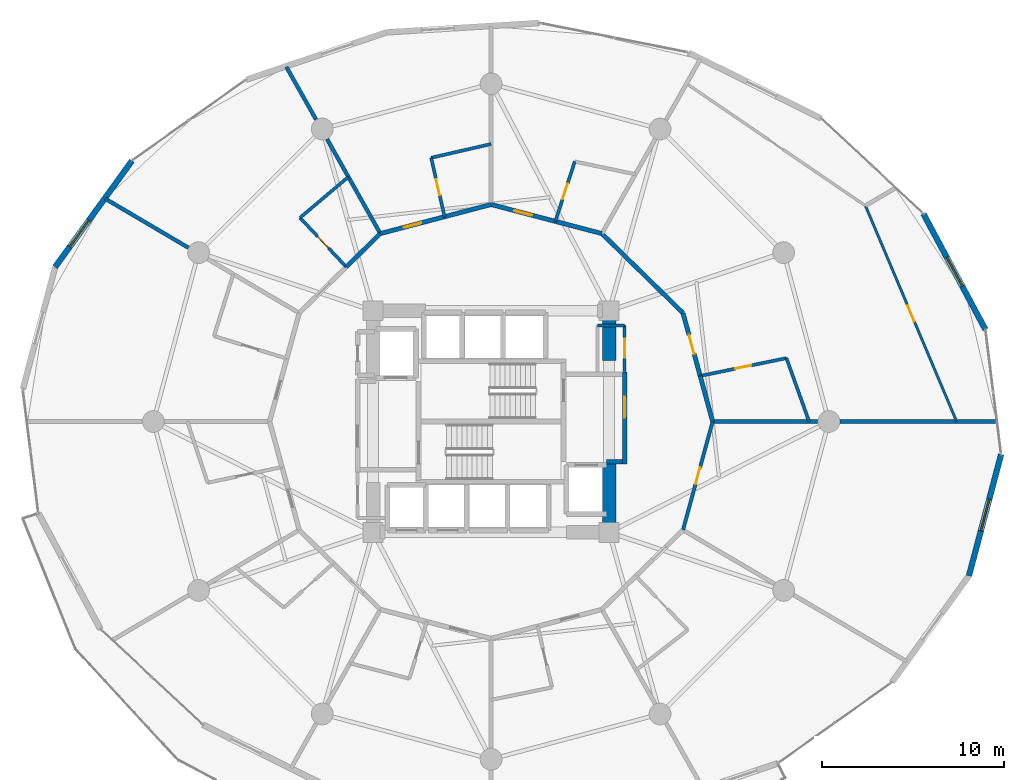
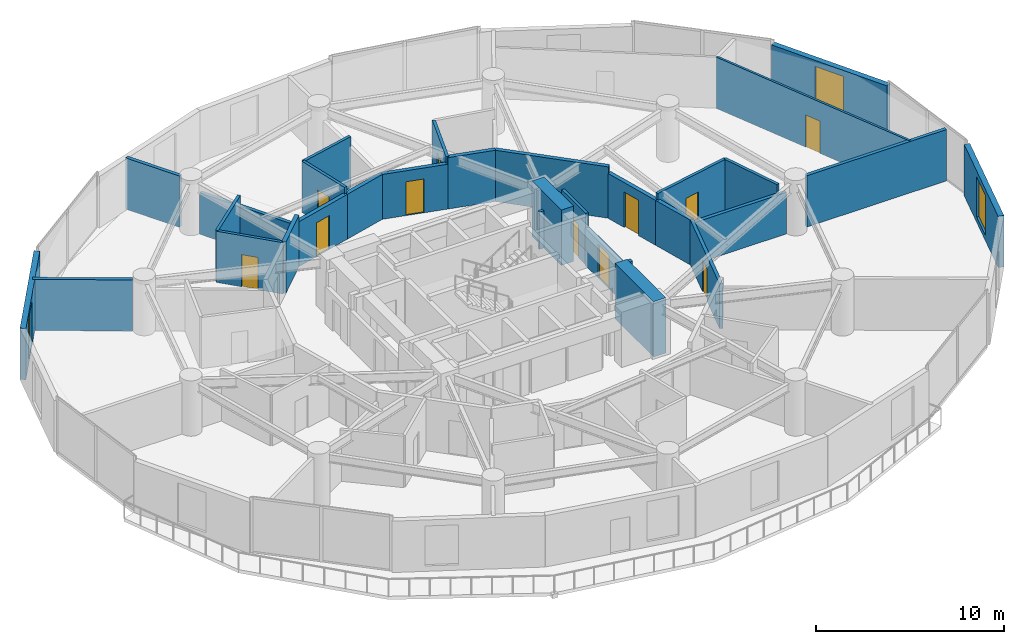
# One storey, part 22 of 26: 31 walls, 11 doors, 3 windows, 14 openings.
"""IFC4 building model written with IfcOpenShell, lengths in metres."""

from ifc_helpers import new_model, si_unit, direction, frame, frame_2d, origin, place, context, subcontext, project, spatial, rectangle, extrude, material, layer, layer_set, type_object, element, fill, save


model = new_model("IFC4")

# Units and contexts
model_context = context("Model", 3, precision=1e-05, world=origin(), true_north=direction((0.0, 1.0)))
body_context = subcontext(model_context, "Body", "Model", "MODEL_VIEW")
ifc_project = project(units=[si_unit("LENGTHUNIT", "METRE"), si_unit("AREAUNIT", "SQUARE_METRE"), si_unit("VOLUMEUNIT", "CUBIC_METRE"), si_unit("PLANEANGLEUNIT", "RADIAN"), si_unit("MASSUNIT", "GRAM", prefix="KILO")], contexts=[model_context])

# Site, building, storey
site_placement = place(None, origin())
site = spatial("IfcSite", under=ifc_project, at=site_placement, CompositionType="ELEMENT")
building_placement = place(site_placement, origin())
building = spatial("IfcBuilding", under=site, at=building_placement, Name="Solvirekh Grand Hotel", CompositionType="ELEMENT")
storey_placement = place(building_placement, frame((0.0, 0.0, 35.60009765625)))
storey = spatial("IfcBuildingStorey", under=building, at=storey_placement, Name="L07", CompositionType="ELEMENT", Elevation=35.60009765625)

# Walls
ifc_material_1 = material(Name="Concrete C60/75", Category="concrete")
ifc_layer_1 = layer(ifc_material_1, 0.75)
ifc_layer_set_1 = layer_set([ifc_layer_1], Name="Concrete C60/75")
wall_type_1 = type_object("IfcWallType", Name="CoreWall_RC750", PredefinedType="SHEAR", material=ifc_layer_set_1)
wall_1_placement = place(storey_placement, frame((6.5, -6.47509765625, 0.0), z_axis=(0.0, 0.0, 1.0), x_axis=(0.0, 1.0, 0.0)))
element("IfcWall", 1, at=wall_1_placement, inside=storey, type_object=wall_type_1, Name="L07 core corner shear wall ES-E", PredefinedType="SHEAR", context=body_context, shape_type="SweptSolid", body=[
    extrude(rectangle(XDim=4.125, YDim=0.75, at=frame_2d((2.0625, 0.0))), origin(), (0.0, 0.0, 1.0), 3.599853515625),
])
wall_2_placement = place(storey_placement, frame((6.5, 3.35009765625, 0.0), z_axis=(0.0, 0.0, 1.0), x_axis=(0.0, 1.0, 0.0)))
element("IfcWall", 2, at=wall_2_placement, inside=storey, type_object=wall_type_1, Name="L07 core corner shear wall EN-E", PredefinedType="SHEAR", context=body_context, shape_type="SweptSolid", body=[
    extrude(rectangle(XDim=3.125, YDim=0.75, at=frame_2d((1.5625, 0.0))), origin(), (0.0, 0.0, 1.0), 3.599853515625),
])

# Wall, opening, window
ifc_material_2 = material(Name="Precast concrete C45/55", Category="concrete")
ifc_layer_2 = layer(ifc_material_2, 0.320068359375)
ifc_layer_set_2 = layer_set([ifc_layer_2], Name="Precast concrete C45/55")
wall_type_2 = type_object("IfcWallType", Name="ExtLobbyWall_RC320", PredefinedType="SOLIDWALL", material=ifc_layer_set_2)
wall_3_placement = place(storey_placement, frame((23.81005859375, 11.43896484375, 0.0), z_axis=(0.0, 0.0, 1.0), x_axis=(0.472255130515, -0.881461905985, 0.0)))
wall_3 = element("IfcWall", 3, at=wall_3_placement, inside=storey, type_object=wall_type_2, Name="L07 exterior structural wall chord 2", PredefinedType="SOLIDWALL", context=body_context, shape_type="SweptSolid", body=[
    extrude(rectangle(XDim=7.2333984375, YDim=0.320068359375, at=frame_2d((3.61669921875, 0.0))), origin(), (0.0, 0.0, 1.0), 3.33984375),
])
opening_1_placement = place(wall_3_placement, frame((2.717041015625, 0.0, 0.35009765625)))
opening_1 = element("IfcOpeningElement", 4, at=opening_1_placement, cuts=wall_3, Name="Opening W02", PredefinedType="OPENING", context=body_context, shape_type="SweptSolid", body=[
    extrude(rectangle(XDim=1.800048828125, YDim=2.60009765625, at=frame_2d((0.89990234375, 1.300048828125))), frame((0.0, 0.169921875, 0.0), z_axis=(0.0, -1.0, 0.0), x_axis=(1.0, 0.0, 0.0)), (0.0, 0.0, 1.0), 0.340087890625),
])
ifc_material_3 = material(Name="Low-E Tinted Bronze Laminated Glass", Category="aluminium")
window_type = type_object("IfcWindowType", Name="Win_LobbyExt_1800X2600", PartitioningType="SINGLE_PANEL", PredefinedType="WINDOW", material=ifc_material_3)
window_1_placement = place(opening_1_placement, origin())
window_1 = element("IfcWindow", 5, at=window_1_placement, inside=storey, type_object=window_type, Name="L07 panoramic bronze-framed window 2", OverallHeight=2.60009765625, OverallWidth=1.800048828125, PartitioningType="SINGLE_PANEL", PredefinedType="WINDOW", context=body_context, shape_type="SweptSolid", body=[
    extrude(rectangle(XDim=1.800048828125, YDim=2.60009765625, at=frame_2d((0.89990234375, 1.300048828125))), frame((0.0, 0.030029296875, 0.0), z_axis=(0.0, -1.0, 0.0), x_axis=(1.0, 0.0, 0.0)), (0.0, 0.0, 1.0), 0.06005859375),
])
fill(opening_1, window_1)

wall_4_placement = place(storey_placement, frame((-24.01611328125, 8.5029296875, 0.0), z_axis=(0.0, 0.0, 1.0), x_axis=(0.585883584877, 0.810395227634, 0.0)))
wall_4 = element("IfcWall", 6, at=wall_4_placement, inside=storey, type_object=wall_type_2, Name="L07 exterior structural wall chord 9", PredefinedType="SOLIDWALL", context=body_context, shape_type="SweptSolid", body=[
    extrude(rectangle(XDim=7.233642578125, YDim=0.320068359375, at=frame_2d((3.61669921875, 0.0))), origin(), (0.0, 0.0, 1.0), 3.33984375),
])
opening_2_placement = place(wall_4_placement, frame((1.385986328125, 0.0, 0.35009765625)))
opening_2 = element("IfcOpeningElement", 7, at=opening_2_placement, cuts=wall_4, Name="Opening W02", PredefinedType="OPENING", context=body_context, shape_type="SweptSolid", body=[
    extrude(rectangle(XDim=1.800048828125, YDim=2.60009765625, at=frame_2d((0.89990234375, 1.300048828125))), frame((0.0, 0.169921875, 0.0), z_axis=(0.0, -1.0, 0.0), x_axis=(1.0, 0.0, 0.0)), (0.0, 0.0, 1.0), 0.340087890625),
])
window_2_placement = place(opening_2_placement, origin())
window_2 = element("IfcWindow", 8, at=window_2_placement, inside=storey, type_object=window_type, Name="L07 panoramic bronze-framed window 9", OverallHeight=2.60009765625, OverallWidth=1.800048828125, PartitioningType="SINGLE_PANEL", PredefinedType="WINDOW", context=body_context, shape_type="SweptSolid", body=[
    extrude(rectangle(XDim=1.800048828125, YDim=2.60009765625, at=frame_2d((0.89990234375, 1.300048828125))), frame((0.0, 0.030029296875, 0.0), z_axis=(0.0, -1.0, 0.0), x_axis=(1.0, 0.0, 0.0)), (0.0, 0.0, 1.0), 0.06005859375),
])
fill(opening_2, window_2)

wall_5_placement = place(storey_placement, frame((28.089111328125, -1.80810546875, 0.0), z_axis=(0.0, 0.0, 1.0), x_axis=(-0.256032082016, -0.966668284873, 0.0)))
wall_5 = element("IfcWall", 9, at=wall_5_placement, inside=storey, type_object=wall_type_2, Name="L07 exterior structural wall chord 20", PredefinedType="SOLIDWALL", context=body_context, shape_type="SweptSolid", body=[
    extrude(rectangle(XDim=6.92578125, YDim=0.320068359375, at=frame_2d((3.462890625, 0.0))), origin(), (0.0, 0.0, 1.0), 3.33984375),
])
opening_3_placement = place(wall_5_placement, frame((2.56298828125, 0.0, 0.35009765625)))
opening_3 = element("IfcOpeningElement", 10, at=opening_3_placement, cuts=wall_5, Name="Opening W02", PredefinedType="OPENING", context=body_context, shape_type="SweptSolid", body=[
    extrude(rectangle(XDim=1.800048828125, YDim=2.60009765625, at=frame_2d((0.89990234375, 1.300048828125))), frame((0.0, 0.169921875, 0.0), z_axis=(0.0, -1.0, 0.0), x_axis=(1.0, 0.0, 0.0)), (0.0, 0.0, 1.0), 0.340087890625),
])
window_3_placement = place(opening_3_placement, origin())
window_3 = element("IfcWindow", 11, at=window_3_placement, inside=storey, type_object=window_type, Name="L07 panoramic bronze-framed window 20", OverallHeight=2.60009765625, OverallWidth=1.800048828125, PartitioningType="SINGLE_PANEL", PredefinedType="WINDOW", context=body_context, shape_type="SweptSolid", body=[
    extrude(rectangle(XDim=1.800048828125, YDim=2.60009765625, at=frame_2d((0.89990234375, 1.300048828125))), frame((0.0, 0.030029296875, 0.0), z_axis=(0.0, -1.0, 0.0), x_axis=(1.0, 0.0, 0.0)), (0.0, 0.0, 1.0), 0.06005859375),
])
fill(opening_3, window_3)

# Wall, opening, door
ifc_material_4 = material(Name="Acoustic Gypsum Partition Assembly")
ifc_layer_3 = layer(ifc_material_4, 0.1650390625)
ifc_layer_set_3 = layer_set([ifc_layer_3], Name="Acoustic Gypsum Partition Assembly")
wall_type_3 = type_object("IfcWallType", Name="Part_BOH_165", PredefinedType="PARTITIONING", material=ifc_layer_set_3)
wall_6_placement = place(storey_placement, frame((7.35009765625, 2.75, 0.0), z_axis=(0.0, 0.0, 1.0), x_axis=(0.0, 1.0, 0.0)))
wall_6 = element("IfcWall", 12, at=wall_6_placement, inside=storey, type_object=wall_type_3, Name="L07 L07 Telecom Distribution Room wall 2", PredefinedType="PARTITIONING", context=body_context, shape_type="SweptSolid", body=[
    extrude(rectangle(XDim=2.550048828125, YDim=0.1650390625, at=frame_2d((1.27490234375, 0.0))), origin(), (0.0, 0.0, 1.0), 3.33984375),
])
opening_4_placement = place(wall_6_placement, frame((0.75, 0.0, 0.0)))
opening_4 = element("IfcOpeningElement", 13, at=opening_4_placement, cuts=wall_6, Name="Opening D12", PredefinedType="OPENING", context=body_context, shape_type="SweptSolid", body=[
    extrude(rectangle(XDim=1.050048828125, YDim=2.14990234375, at=frame_2d((0.52490234375, 1.074951171875))), frame((0.0, 0.092529296875, 0.0), z_axis=(0.0, -1.0, 0.0), x_axis=(1.0, 0.0, 0.0)), (0.0, 0.0, 1.0), 0.18505859375),
])
ifc_material_5 = material(Name="Fire-Rated Steel Door Assembly", Category="steel")
door_type_1 = type_object("IfcDoorType", Name="Door_PlantBOH_1050X2150", OperationType="NOTDEFINED", PredefinedType="DOOR", material=ifc_material_5)
door_1_placement = place(opening_4_placement, origin())
door_1 = element("IfcDoor", 14, at=door_1_placement, inside=storey, type_object=door_type_1, Name="L07 L07 Telecom Distribution Room door", OperationType="SINGLE_SWING_RIGHT", OverallHeight=2.14990234375, OverallWidth=1.050048828125, PredefinedType="DOOR", context=body_context, shape_type="SweptSolid", body=[
    extrude(rectangle(XDim=1.050048828125, YDim=2.14990234375, at=frame_2d((0.52490234375, 1.074951171875))), frame((0.0, 0.02490234375, 0.0), z_axis=(0.0, -1.0, 0.0), x_axis=(1.0, 0.0, 0.0)), (0.0, 0.0, 1.0), 0.050048828125),
])
fill(opening_4, door_1)

# Wall
wall_7_placement = place(storey_placement, frame((7.35009765625, 5.300048828125, 0.0), z_axis=(0.0, 0.0, 1.0), x_axis=(-1.0, 0.0, 0.0)))
element("IfcWall", 15, at=wall_7_placement, inside=storey, type_object=wall_type_3, Name="L07 L07 Telecom Distribution Room wall 3", PredefinedType="PARTITIONING", context=body_context, shape_type="SweptSolid", body=[
    extrude(rectangle(XDim=1.5, YDim=0.1650390625, at=frame_2d((0.75, 0.0))), origin(), (0.0, 0.0, 1.0), 2.4248046875),
])

# Wall, opening, door
ifc_layer_4 = layer(ifc_material_4, 0.239990234375)
ifc_layer_set_4 = layer_set([ifc_layer_4], Name="Acoustic Gypsum Partition Assembly")
wall_type_4 = type_object("IfcWallType", Name="Part_Corridor_240", PredefinedType="PARTITIONING", material=ifc_layer_set_4)
wall_8_placement = place(storey_placement, frame((7.35009765625, -2.340087890625, 0.0), z_axis=(0.0, 0.0, 1.0), x_axis=(0.0, 1.0, 0.0)))
wall_8 = element("IfcWall", 16, at=wall_8_placement, inside=storey, type_object=wall_type_4, Name="L07 east firefighting lobby smoke screen wall", PredefinedType="PARTITIONING", context=body_context, shape_type="SweptSolid", body=[
    extrude(rectangle(XDim=5.070068359375, YDim=0.239990234375, at=frame_2d((2.53515625, 0.0))), origin(), (0.0, 0.0, 1.0), 2.4248046875),
])
opening_5_placement = place(wall_8_placement, frame((2.548095703125, 0.0, 0.0)))
opening_5 = element("IfcOpeningElement", 17, at=opening_5_placement, cuts=wall_8, Name="Opening D06", PredefinedType="OPENING", context=body_context, shape_type="SweptSolid", body=[
    extrude(rectangle(XDim=1.14990234375, YDim=2.199951171875, at=frame_2d((0.574951171875, 1.10009765625))), frame((0.0, 0.1298828125, 0.0), z_axis=(0.0, -1.0, 0.0), x_axis=(1.0, 0.0, 0.0)), (0.0, 0.0, 1.0), 0.260009765625),
])
door_type_2 = type_object("IfcDoorType", Name="Door_FFLobby_1150X2200", OperationType="NOTDEFINED", PredefinedType="DOOR", material=ifc_material_5)
door_2_placement = place(opening_5_placement, origin())
door_2 = element("IfcDoor", 18, at=door_2_placement, inside=storey, type_object=door_type_2, Name="L07 east firefighting lobby smoke door", OperationType="SINGLE_SWING_LEFT", OverallHeight=2.199951171875, OverallWidth=1.14990234375, PredefinedType="DOOR", context=body_context, shape_type="SweptSolid", body=[
    extrude(rectangle(XDim=1.14990234375, YDim=2.199951171875, at=frame_2d((0.574951171875, 1.10009765625))), frame((0.0, 0.02490234375, 0.0), z_axis=(0.0, -1.0, 0.0), x_axis=(1.0, 0.0, 0.0)), (0.0, 0.0, 1.0), 0.050048828125),
])
fill(opening_5, door_2)

# Walls
wall_9_placement = place(storey_placement, frame((12.199951171875, 0.0, 0.0), z_axis=(0.0, 0.0, 1.0), x_axis=(-0.263744763784, 0.964592504416, 0.0)))
element("IfcWall", 19, at=wall_9_placement, inside=storey, type_object=wall_type_4, Name="L07 En-suite Bathroom 0901 corridor backing wall", PredefinedType="PARTITIONING", context=body_context, shape_type="SweptSolid", body=[
    extrude(rectangle(XDim=2.60107421875, YDim=0.239990234375, at=frame_2d((1.300537109375, 0.0))), origin(), (0.0, 0.0, 1.0), 2.9169921875),
])
wall_10_placement = place(storey_placement, frame((10.56591796875, 5.97509765625, 0.0), z_axis=(0.0, 0.0, 1.0), x_axis=(-0.714411174131, 0.699726142342, 0.0)))
element("IfcWall", 20, at=wall_10_placement, inside=storey, type_object=wall_type_4, Name="L07 Executive Suite 0901 Living Room corridor wall 1", PredefinedType="PARTITIONING", context=body_context, shape_type="SweptSolid", body=[
    extrude(rectangle(XDim=6.2509765625, YDim=0.239990234375, at=frame_2d((3.12548828125, 0.0))), origin(), (0.0, 0.0, 1.0), 3.33984375),
])

# Wall, opening, door
wall_11_placement = place(storey_placement, frame((11.513916015625, 2.509033203125, 0.0), z_axis=(0.0, 0.0, 1.0), x_axis=(-0.263818706543, 0.96457228349, 0.0)))
wall_11 = element("IfcWall", 21, at=wall_11_placement, inside=storey, type_object=wall_type_4, Name="L07 Executive Suite 0901 Living Room entrance wall", PredefinedType="PARTITIONING", context=body_context, shape_type="SweptSolid", body=[
    extrude(rectangle(XDim=3.59326171875, YDim=0.239990234375, at=frame_2d((1.796630859375, 0.0))), origin(), (0.0, 0.0, 1.0), 2.9169921875),
])
opening_6_placement = place(wall_11_placement, frame((1.2470703125, 0.0, 0.0)))
opening_6 = element("IfcOpeningElement", 22, at=opening_6_placement, cuts=wall_11, Name="Opening D08", PredefinedType="OPENING", context=body_context, shape_type="SweptSolid", body=[
    extrude(rectangle(XDim=1.10009765625, YDim=2.300048828125, at=frame_2d((0.550048828125, 1.14990234375))), frame((0.0, 0.1298828125, 0.0), z_axis=(0.0, -1.0, 0.0), x_axis=(1.0, 0.0, 0.0)), (0.0, 0.0, 1.0), 0.260009765625),
])
door_type_3 = type_object("IfcDoorType", Name="Door_SuiteEntry_1100X2300", OperationType="NOTDEFINED", PredefinedType="DOOR", material=ifc_material_5)
door_3_placement = place(opening_6_placement, origin())
door_3 = element("IfcDoor", 23, at=door_3_placement, inside=storey, type_object=door_type_3, Name="L07 Executive Suite 0901 Living Room entrance door", OperationType="SINGLE_SWING_RIGHT", OverallHeight=2.300048828125, OverallWidth=1.10009765625, PredefinedType="DOOR", context=body_context, shape_type="SweptSolid", body=[
    extrude(rectangle(XDim=1.10009765625, YDim=2.300048828125, at=frame_2d((0.550048828125, 1.14990234375))), frame((0.0, 0.02490234375, 0.0), z_axis=(0.0, -1.0, 0.0), x_axis=(1.0, 0.0, 0.0)), (0.0, 0.0, 1.0), 0.050048828125),
])
fill(opening_6, door_3)

# Wall
wall_12_placement = place(storey_placement, frame((6.10009765625, 10.34912109375, 0.0), z_axis=(0.0, 0.0, 1.0), x_axis=(-0.967291490053, 0.253667446219, 0.0)))
element("IfcWall", 24, at=wall_12_placement, inside=storey, type_object=wall_type_4, Name="L07 En-suite Bathroom 0902 corridor backing wall", PredefinedType="PARTITIONING", context=body_context, shape_type="SweptSolid", body=[
    extrude(rectangle(XDim=2.648681640625, YDim=0.239990234375, at=frame_2d((1.32421875, 0.0))), origin(), (0.0, 0.0, 1.0), 3.33984375),
])

# Wall, opening, door
wall_13_placement = place(storey_placement, frame((3.5380859375, 11.02099609375, 0.0), z_axis=(0.0, 0.0, 1.0), x_axis=(-0.96721703222, 0.253951201187, 0.0)))
wall_13 = element("IfcWall", 25, at=wall_13_placement, inside=storey, type_object=wall_type_4, Name="L07 Deluxe Guestroom 0902 entrance wall", PredefinedType="PARTITIONING", context=body_context, shape_type="SweptSolid", body=[
    extrude(rectangle(XDim=3.657958984375, YDim=0.239990234375, at=frame_2d((1.8291015625, 0.0))), origin(), (0.0, 0.0, 1.0), 2.9169921875),
])
opening_7_placement = place(wall_13_placement, frame((1.3291015625, 0.0, 0.0)))
opening_7 = element("IfcOpeningElement", 26, at=opening_7_placement, cuts=wall_13, Name="Opening D07", PredefinedType="OPENING", context=body_context, shape_type="SweptSolid", body=[
    extrude(rectangle(XDim=1.0, YDim=2.199951171875, at=frame_2d((0.5, 1.10009765625))), frame((0.0, 0.1298828125, 0.0), z_axis=(0.0, -1.0, 0.0), x_axis=(1.0, 0.0, 0.0)), (0.0, 0.0, 1.0), 0.260009765625),
])
door_type_4 = type_object("IfcDoorType", Name="Door_GuestEntry_1000X2200", OperationType="NOTDEFINED", PredefinedType="DOOR", material=ifc_material_5)
door_4_placement = place(opening_7_placement, origin())
door_4 = element("IfcDoor", 27, at=door_4_placement, inside=storey, type_object=door_type_4, Name="L07 Deluxe Guestroom 0902 entrance door", OperationType="SINGLE_SWING_RIGHT", OverallHeight=2.199951171875, OverallWidth=1.0, PredefinedType="DOOR", context=body_context, shape_type="SweptSolid", body=[
    extrude(rectangle(XDim=1.0, YDim=2.199951171875, at=frame_2d((0.5, 1.10009765625))), frame((0.0, 0.02490234375, 0.0), z_axis=(0.0, -1.0, 0.0), x_axis=(1.0, 0.0, 0.0)), (0.0, 0.0, 1.0), 0.050048828125),
])
fill(opening_7, door_4)

# Wall
wall_14_placement = place(storey_placement, frame((0.0, 11.949951171875, 0.0), z_axis=(0.0, 0.0, 1.0), x_axis=(-0.967291490053, -0.253667446219, 0.0)))
element("IfcWall", 28, at=wall_14_placement, inside=storey, type_object=wall_type_4, Name="L07 En-suite Bathroom 0903 corridor backing wall", PredefinedType="PARTITIONING", context=body_context, shape_type="SweptSolid", body=[
    extrude(rectangle(XDim=2.648681640625, YDim=0.239990234375, at=frame_2d((1.32421875, 0.0))), origin(), (0.0, 0.0, 1.0), 2.9169921875),
])

# Wall, opening, door
wall_15_placement = place(storey_placement, frame((-2.56201171875, 11.278076171875, 0.0), z_axis=(0.0, 0.0, 1.0), x_axis=(-0.96721703222, -0.253951201187, 0.0)))
wall_15 = element("IfcWall", 29, at=wall_15_placement, inside=storey, type_object=wall_type_4, Name="L07 Deluxe Guestroom 0903 entrance wall", PredefinedType="PARTITIONING", context=body_context, shape_type="SweptSolid", body=[
    extrude(rectangle(XDim=3.657958984375, YDim=0.239990234375, at=frame_2d((1.8291015625, 0.0))), origin(), (0.0, 0.0, 1.0), 2.9169921875),
])
opening_8_placement = place(wall_15_placement, frame((1.3291015625, 0.0, 0.0)))
opening_8 = element("IfcOpeningElement", 30, at=opening_8_placement, cuts=wall_15, Name="Opening D07", PredefinedType="OPENING", context=body_context, shape_type="SweptSolid", body=[
    extrude(rectangle(XDim=1.0, YDim=2.199951171875, at=frame_2d((0.5, 1.10009765625))), frame((0.0, 0.1298828125, 0.0), z_axis=(0.0, -1.0, 0.0), x_axis=(1.0, 0.0, 0.0)), (0.0, 0.0, 1.0), 0.260009765625),
])
door_5_placement = place(opening_8_placement, origin())
door_5 = element("IfcDoor", 31, at=door_5_placement, inside=storey, type_object=door_type_4, Name="L07 Deluxe Guestroom 0903 entrance door", OperationType="SINGLE_SWING_RIGHT", OverallHeight=2.199951171875, OverallWidth=1.0, PredefinedType="DOOR", context=body_context, shape_type="SweptSolid", body=[
    extrude(rectangle(XDim=1.0, YDim=2.199951171875, at=frame_2d((0.5, 1.10009765625))), frame((0.0, 0.02490234375, 0.0), z_axis=(0.0, -1.0, 0.0), x_axis=(1.0, 0.0, 0.0)), (0.0, 0.0, 1.0), 0.050048828125),
])
fill(opening_8, door_5)

# Wall
wall_16_placement = place(storey_placement, frame((-6.10009765625, 10.34912109375, 0.0), z_axis=(0.0, 0.0, 1.0), x_axis=(-0.714460071513, -0.69967621527, 0.0)))
element("IfcWall", 32, at=wall_16_placement, inside=storey, type_object=wall_type_4, Name="L07 En-suite Bathroom 0904 corridor backing wall", PredefinedType="PARTITIONING", context=body_context, shape_type="SweptSolid", body=[
    extrude(rectangle(XDim=2.625732421875, YDim=0.239990234375, at=frame_2d((1.31298828125, 0.0))), origin(), (0.0, 0.0, 1.0), 3.33984375),
])

# Wall, opening, door
ifc_layer_5 = layer(ifc_material_4, 0.18994140625)
ifc_layer_set_5 = layer_set([ifc_layer_5], Name="Acoustic Gypsum Partition Assembly")
wall_type_5 = type_object("IfcWallType", Name="Part_GuestDemise_190", PredefinedType="PARTITIONING", material=ifc_layer_set_5)
wall_17_placement = place(storey_placement, frame((10.56591796875, -5.97509765625, 0.0), z_axis=(0.0, 0.0, 1.0), x_axis=(0.263787657435, 0.964580775148, 0.0)))
wall_17 = element("IfcWall", 33, at=wall_17_placement, inside=storey, type_object=wall_type_5, Name="L07 L07 Club Reading Lounge entrance wall", PredefinedType="PARTITIONING", context=body_context, shape_type="SweptSolid", body=[
    extrude(rectangle(XDim=6.194580078125, YDim=0.18994140625, at=frame_2d((3.09716796875, 0.0))), origin(), (0.0, 0.0, 1.0), 2.9169921875),
])
opening_9_placement = place(wall_17_placement, frame((2.6220703125, 0.0, 0.0)))
opening_9 = element("IfcOpeningElement", 34, at=opening_9_placement, cuts=wall_17, Name="Opening D10", PredefinedType="OPENING", context=body_context, shape_type="SweptSolid", body=[
    extrude(rectangle(XDim=0.949951171875, YDim=2.10009765625, at=frame_2d((0.47509765625, 1.050048828125))), frame((0.0, 0.10498046875, 0.0), z_axis=(0.0, -1.0, 0.0), x_axis=(1.0, 0.0, 0.0)), (0.0, 0.0, 1.0), 0.2099609375),
])
ifc_material_6 = material(Name="Anodized Bronze Aluminium 6063-T6", Category="aluminium")
door_type_5 = type_object("IfcDoorType", Name="Door_RoomInt_950X2100", OperationType="NOTDEFINED", PredefinedType="DOOR", material=ifc_material_6)
door_6_placement = place(opening_9_placement, origin())
door_6 = element("IfcDoor", 35, at=door_6_placement, inside=storey, type_object=door_type_5, Name="L07 L07 Club Reading Lounge entrance door", OperationType="SINGLE_SWING_LEFT", OverallHeight=2.10009765625, OverallWidth=0.949951171875, PredefinedType="DOOR", context=body_context, shape_type="SweptSolid", body=[
    extrude(rectangle(XDim=0.949951171875, YDim=2.10009765625, at=frame_2d((0.47509765625, 1.050048828125))), frame((0.0, 0.02490234375, 0.0), z_axis=(0.0, -1.0, 0.0), x_axis=(1.0, 0.0, 0.0)), (0.0, 0.0, 1.0), 0.050048828125),
])
fill(opening_9, door_6)

# Wall
ifc_layer_6 = layer(ifc_material_4, 0.260009765625)
ifc_layer_set_6 = layer_set([ifc_layer_6], Name="Acoustic Gypsum Partition Assembly")
wall_type_6 = type_object("IfcWallType", Name="Part_LobbyFF_260", PredefinedType="PARTITIONING", material=ifc_layer_set_6)
wall_18_placement = place(storey_placement, frame((6.35009765625, -2.2099609375, 0.0), z_axis=(0.0, 0.0, 1.0), x_axis=(1.0, 0.0, 0.0)))
element("IfcWall", 36, at=wall_18_placement, inside=storey, type_object=wall_type_6, Name="L07 east firefighting lobby SE cheek", PredefinedType="PARTITIONING", context=body_context, shape_type="SweptSolid", body=[
    extrude(rectangle(XDim=0.875, YDim=0.260009765625, at=frame_2d((0.4375, 0.0))), origin(), (0.0, 0.0, 1.0), 3.33984375),
])

# Wall, opening, door
ifc_layer_7 = layer(ifc_material_4, 0.135009765625)
ifc_layer_set_7 = layer_set([ifc_layer_7], Name="Acoustic Gypsum Partition Assembly")
wall_type_7 = type_object("IfcWallType", Name="Part_RoomInt_135", PredefinedType="PARTITIONING", material=ifc_layer_set_7)
wall_19_placement = place(storey_placement, frame((25.635009765625, 0.0, 0.0), z_axis=(0.0, 0.0, 1.0), x_axis=(-0.389280036571, 0.921119456491, 0.0)))
wall_19 = element("IfcWall", 37, at=wall_19_placement, inside=storey, type_object=wall_type_7, Name="L07 Executive Suite 0901 Living Room bedroom screen wall", PredefinedType="PARTITIONING", context=body_context, shape_type="SweptSolid", body=[
    extrude(rectangle(XDim=12.900634765625, YDim=0.135009765625, at=frame_2d((6.4501953125, 0.0))), origin(), (0.0, 0.0, 1.0), 3.33984375),
])
opening_10_placement = place(wall_19_placement, frame((5.97509765625, 0.0, 0.0)))
opening_10 = element("IfcOpeningElement", 38, at=opening_10_placement, cuts=wall_19, Name="Opening D10", PredefinedType="OPENING", context=body_context, shape_type="SweptSolid", body=[
    extrude(rectangle(XDim=0.949951171875, YDim=2.10009765625, at=frame_2d((0.47509765625, 1.050048828125))), frame((0.0, 0.07763671875, 0.0), z_axis=(0.0, -1.0, 0.0), x_axis=(1.0, 0.0, 0.0)), (0.0, 0.0, 1.0), 0.155029296875),
])
door_7_placement = place(opening_10_placement, origin())
door_7 = element("IfcDoor", 39, at=door_7_placement, inside=storey, type_object=door_type_5, Name="L07 Executive Suite 0901 Living Room master bedroom door", OperationType="SINGLE_SWING_LEFT", OverallHeight=2.10009765625, OverallWidth=0.949951171875, PredefinedType="DOOR", context=body_context, shape_type="SweptSolid", body=[
    extrude(rectangle(XDim=0.949951171875, YDim=2.10009765625, at=frame_2d((0.47509765625, 1.050048828125))), frame((0.0, 0.02490234375, 0.0), z_axis=(0.0, -1.0, 0.0), x_axis=(1.0, 0.0, 0.0)), (0.0, 0.0, 1.0), 0.050048828125),
])
fill(opening_10, door_7)

# Walls
ifc_layer_8 = layer(ifc_material_4, 0.2099609375)
ifc_layer_set_8 = layer_set([ifc_layer_8], Name="Acoustic Gypsum Partition Assembly")
wall_type_8 = type_object("IfcWallType", Name="Part_SuiteDemise_210", PredefinedType="PARTITIONING", material=ifc_layer_set_8)
wall_20_placement = place(storey_placement, frame((12.199951171875, 0.0, 0.0), z_axis=(0.0, 0.0, 1.0), x_axis=(1.0, 0.0, 0.0)))
element("IfcWall", 40, at=wall_20_placement, inside=storey, type_object=wall_type_8, Name="L07 suite radial wall 1 (A)", PredefinedType="PARTITIONING", context=body_context, shape_type="SweptSolid", body=[
    extrude(rectangle(XDim=5.780029296875, YDim=0.2099609375, at=frame_2d((2.89013671875, 0.0))), origin(), (0.0, 0.0, 1.0), 2.706787109375),
])
wall_21_placement = place(storey_placement, frame((19.219970703125, 0.0, 0.0), z_axis=(0.0, 0.0, 1.0), x_axis=(1.0, 0.0, 0.0)))
element("IfcWall", 41, at=wall_21_placement, inside=storey, type_object=wall_type_8, Name="L07 suite radial wall 1 (B)", PredefinedType="PARTITIONING", context=body_context, shape_type="SweptSolid", body=[
    extrude(rectangle(XDim=8.60205078125, YDim=0.2099609375, at=frame_2d((4.301025390625, 0.0))), origin(), (0.0, 0.0, 1.0), 3.33984375),
])
wall_22_placement = place(storey_placement, frame((-6.10009765625, 10.34912109375, 0.0), z_axis=(0.0, 0.0, 1.0), x_axis=(-0.491140594116, 0.871080315936, 0.0)))
element("IfcWall", 42, at=wall_22_placement, inside=storey, type_object=wall_type_8, Name="L07 suite radial wall 5 (A)", PredefinedType="PARTITIONING", context=body_context, shape_type="SweptSolid", body=[
    extrude(rectangle(XDim=5.969482421875, YDim=0.2099609375, at=frame_2d((2.98486328125, 0.0))), origin(), (0.0, 0.0, 1.0), 2.706787109375),
])
wall_23_placement = place(storey_placement, frame((-9.638916015625, 16.626953125, 0.0), z_axis=(0.0, 0.0, 1.0), x_axis=(-0.491168715891, 0.871064459457, 0.0)))
element("IfcWall", 43, at=wall_23_placement, inside=storey, type_object=wall_type_8, Name="L07 suite radial wall 5 (B)", PredefinedType="PARTITIONING", context=body_context, shape_type="SweptSolid", body=[
    extrude(rectangle(XDim=3.332763671875, YDim=0.2099609375, at=frame_2d((1.66650390625, 0.0))), origin(), (0.0, 0.0, 1.0), 3.33984375),
])
wall_24_placement = place(storey_placement, frame((-16.6669921875, 9.569091796875, 0.0), z_axis=(0.0, 0.0, 1.0), x_axis=(-0.861651827739, 0.50749987956, 0.0)))
element("IfcWall", 44, at=wall_24_placement, inside=storey, type_object=wall_type_8, Name="L07 suite radial wall 6 (B)", PredefinedType="PARTITIONING", context=body_context, shape_type="SweptSolid", body=[
    extrude(rectangle(XDim=5.314208984375, YDim=0.2099609375, at=frame_2d((2.6572265625, 0.0))), origin(), (0.0, 0.0, 1.0), 3.33984375),
])
ifc_layer_9 = layer(ifc_material_4, 0.175048828125)
ifc_layer_set_9 = layer_set([ifc_layer_9], Name="Acoustic Gypsum Partition Assembly")
wall_type_9 = type_object("IfcWallType", Name="Plumb_Ensuite_175", PredefinedType="PLUMBINGWALL", material=ifc_layer_set_9)
wall_25_placement = place(storey_placement, frame((17.510986328125, 0.0, 0.0), z_axis=(0.0, 0.0, 1.0), x_axis=(-0.336724431673, 0.94160323763, 0.0)))
element("IfcWall", 45, at=wall_25_placement, inside=storey, type_object=wall_type_9, Name="L07 En-suite Bathroom 0901 outer plumbing wall", PredefinedType="PLUMBINGWALL", context=body_context, shape_type="SweptSolid", body=[
    extrude(rectangle(XDim=3.70654296875, YDim=0.175048828125, at=frame_2d((1.853271484375, 0.0))), origin(), (0.0, 0.0, 1.0), 3.33984375),
])

# Wall, opening, door
wall_26_placement = place(storey_placement, frame((11.513916015625, 2.509033203125, 0.0), z_axis=(0.0, 0.0, 1.0), x_axis=(0.979325812174, 0.202289281992, 0.0)))
wall_26 = element("IfcWall", 46, at=wall_26_placement, inside=storey, type_object=wall_type_9, Name="L07 En-suite Bathroom 0901 entry plumbing wall", PredefinedType="PLUMBINGWALL", context=body_context, shape_type="SweptSolid", body=[
    extrude(rectangle(XDim=4.849365234375, YDim=0.175048828125, at=frame_2d((2.4248046875, 0.0))), origin(), (0.0, 0.0, 1.0), 3.33984375),
])
opening_11_placement = place(wall_26_placement, frame((1.97509765625, 0.0, 0.0)))
opening_11 = element("IfcOpeningElement", 47, at=opening_11_placement, cuts=wall_26, Name="Opening D09", PredefinedType="OPENING", context=body_context, shape_type="SweptSolid", body=[
    extrude(rectangle(XDim=0.89990234375, YDim=2.10009765625, at=frame_2d((0.449951171875, 1.050048828125))), frame((0.0, 0.09765625, 0.0), z_axis=(0.0, -1.0, 0.0), x_axis=(1.0, 0.0, 0.0)), (0.0, 0.0, 1.0), 0.195068359375),
])
door_type_6 = type_object("IfcDoorType", Name="Door_Ensuite_900X2100", OperationType="NOTDEFINED", PredefinedType="DOOR", material=ifc_material_6)
door_8_placement = place(opening_11_placement, origin())
door_8 = element("IfcDoor", 48, at=door_8_placement, inside=storey, type_object=door_type_6, Name="L07 En-suite Bathroom 0901 door", OperationType="SINGLE_SWING_LEFT", OverallHeight=2.10009765625, OverallWidth=0.89990234375, PredefinedType="DOOR", context=body_context, shape_type="SweptSolid", body=[
    extrude(rectangle(XDim=0.89990234375, YDim=2.10009765625, at=frame_2d((0.449951171875, 1.050048828125))), frame((0.0, 0.02490234375, 0.0), z_axis=(0.0, -1.0, 0.0), x_axis=(1.0, 0.0, 0.0)), (0.0, 0.0, 1.0), 0.050048828125),
])
fill(opening_11, door_8)

wall_27_placement = place(storey_placement, frame((3.5380859375, 11.02099609375, 0.0), z_axis=(0.0, 0.0, 1.0), x_axis=(0.308646066056, 0.951176958251, 0.0)))
wall_27 = element("IfcWall", 49, at=wall_27_placement, inside=storey, type_object=wall_type_9, Name="L07 En-suite Bathroom 0902 entry plumbing wall", PredefinedType="PLUMBINGWALL", context=body_context, shape_type="SweptSolid", body=[
    extrude(rectangle(XDim=3.463134765625, YDim=0.175048828125, at=frame_2d((1.7314453125, 0.0))), origin(), (0.0, 0.0, 1.0), 3.33984375),
])
opening_12_placement = place(wall_27_placement, frame((1.281982421875, 0.0, 0.0)))
opening_12 = element("IfcOpeningElement", 50, at=opening_12_placement, cuts=wall_27, Name="Opening D09", PredefinedType="OPENING", context=body_context, shape_type="SweptSolid", body=[
    extrude(rectangle(XDim=0.89990234375, YDim=2.10009765625, at=frame_2d((0.449951171875, 1.050048828125))), frame((0.0, 0.09765625, 0.0), z_axis=(0.0, -1.0, 0.0), x_axis=(1.0, 0.0, 0.0)), (0.0, 0.0, 1.0), 0.195068359375),
])
door_9_placement = place(opening_12_placement, origin())
door_9 = element("IfcDoor", 51, at=door_9_placement, inside=storey, type_object=door_type_6, Name="L07 En-suite Bathroom 0902 door", OperationType="SINGLE_SWING_LEFT", OverallHeight=2.10009765625, OverallWidth=0.89990234375, PredefinedType="DOOR", context=body_context, shape_type="SweptSolid", body=[
    extrude(rectangle(XDim=0.89990234375, YDim=2.10009765625, at=frame_2d((0.449951171875, 1.050048828125))), frame((0.0, 0.02490234375, 0.0), z_axis=(0.0, -1.0, 0.0), x_axis=(1.0, 0.0, 0.0)), (0.0, 0.0, 1.0), 0.050048828125),
])
fill(opening_12, door_9)

# Wall
wall_28_placement = place(storey_placement, frame((0.0, 15.281982421875, 0.0), z_axis=(0.0, 0.0, 1.0), x_axis=(-0.974505253862, -0.224364681257, 0.0)))
element("IfcWall", 52, at=wall_28_placement, inside=storey, type_object=wall_type_9, Name="L07 En-suite Bathroom 0903 outer plumbing wall", PredefinedType="PLUMBINGWALL", context=body_context, shape_type="SweptSolid", body=[
    extrude(rectangle(XDim=3.387451171875, YDim=0.175048828125, at=frame_2d((1.69384765625, 0.0))), origin(), (0.0, 0.0, 1.0), 3.33984375),
])

# Wall, opening, door
wall_29_placement = place(storey_placement, frame((-2.56201171875, 11.278076171875, 0.0), z_axis=(0.0, 0.0, 1.0), x_axis=(-0.222125372562, 0.97501811207, 0.0)))
wall_29 = element("IfcWall", 53, at=wall_29_placement, inside=storey, type_object=wall_type_9, Name="L07 En-suite Bathroom 0903 entry plumbing wall", PredefinedType="PLUMBINGWALL", context=body_context, shape_type="SweptSolid", body=[
    extrude(rectangle(XDim=3.326904296875, YDim=0.175048828125, at=frame_2d((1.66357421875, 0.0))), origin(), (0.0, 0.0, 1.0), 3.33984375),
])
opening_13_placement = place(wall_29_placement, frame((1.214111328125, 0.0, 0.0)))
opening_13 = element("IfcOpeningElement", 54, at=opening_13_placement, cuts=wall_29, Name="Opening D09", PredefinedType="OPENING", context=body_context, shape_type="SweptSolid", body=[
    extrude(rectangle(XDim=0.89990234375, YDim=2.10009765625, at=frame_2d((0.449951171875, 1.050048828125))), frame((0.0, 0.09765625, 0.0), z_axis=(0.0, -1.0, 0.0), x_axis=(1.0, 0.0, 0.0)), (0.0, 0.0, 1.0), 0.195068359375),
])
door_10_placement = place(opening_13_placement, origin())
door_10 = element("IfcDoor", 55, at=door_10_placement, inside=storey, type_object=door_type_6, Name="L07 En-suite Bathroom 0903 door", OperationType="SINGLE_SWING_LEFT", OverallHeight=2.10009765625, OverallWidth=0.89990234375, PredefinedType="DOOR", context=body_context, shape_type="SweptSolid", body=[
    extrude(rectangle(XDim=0.89990234375, YDim=2.10009765625, at=frame_2d((0.449951171875, 1.050048828125))), frame((0.0, 0.02490234375, 0.0), z_axis=(0.0, -1.0, 0.0), x_axis=(1.0, 0.0, 0.0)), (0.0, 0.0, 1.0), 0.050048828125),
])
fill(opening_13, door_10)

# Wall
wall_30_placement = place(storey_placement, frame((-7.860107421875, 13.470947265625, 0.0), z_axis=(0.0, 0.0, 1.0), x_axis=(-0.763718302061, -0.645549653471, 0.0)))
element("IfcWall", 56, at=wall_30_placement, inside=storey, type_object=wall_type_9, Name="L07 En-suite Bathroom 0904 outer plumbing wall", PredefinedType="PLUMBINGWALL", context=body_context, shape_type="SweptSolid", body=[
    extrude(rectangle(XDim=3.4853515625, YDim=0.175048828125, at=frame_2d((1.74267578125, 0.0))), origin(), (0.0, 0.0, 1.0), 3.33984375),
])

# Wall, opening, door
wall_31_placement = place(storey_placement, frame((-7.97607421875, 8.511962890625, 0.0), z_axis=(0.0, 0.0, 1.0), x_axis=(-0.684831906404, 0.72870107724, 0.0)))
wall_31 = element("IfcWall", 57, at=wall_31_placement, inside=storey, type_object=wall_type_9, Name="L07 En-suite Bathroom 0904 entry plumbing wall", PredefinedType="PLUMBINGWALL", context=body_context, shape_type="SweptSolid", body=[
    extrude(rectangle(XDim=3.717529296875, YDim=0.175048828125, at=frame_2d((1.85888671875, 0.0))), origin(), (0.0, 0.0, 1.0), 3.33984375),
])
opening_14_placement = place(wall_31_placement, frame((1.408935546875, 0.0, 0.0)))
opening_14 = element("IfcOpeningElement", 58, at=opening_14_placement, cuts=wall_31, Name="Opening D09", PredefinedType="OPENING", context=body_context, shape_type="SweptSolid", body=[
    extrude(rectangle(XDim=0.89990234375, YDim=2.10009765625, at=frame_2d((0.449951171875, 1.050048828125))), frame((0.0, 0.09765625, 0.0), z_axis=(0.0, -1.0, 0.0), x_axis=(1.0, 0.0, 0.0)), (0.0, 0.0, 1.0), 0.195068359375),
])
door_11_placement = place(opening_14_placement, origin())
door_11 = element("IfcDoor", 59, at=door_11_placement, inside=storey, type_object=door_type_6, Name="L07 En-suite Bathroom 0904 door", OperationType="SINGLE_SWING_LEFT", OverallHeight=2.10009765625, OverallWidth=0.89990234375, PredefinedType="DOOR", context=body_context, shape_type="SweptSolid", body=[
    extrude(rectangle(XDim=0.89990234375, YDim=2.10009765625, at=frame_2d((0.449951171875, 1.050048828125))), frame((0.0, 0.02490234375, 0.0), z_axis=(0.0, -1.0, 0.0), x_axis=(1.0, 0.0, 0.0)), (0.0, 0.0, 1.0), 0.050048828125),
])
fill(opening_14, door_11)

save(model, "model.ifc")
